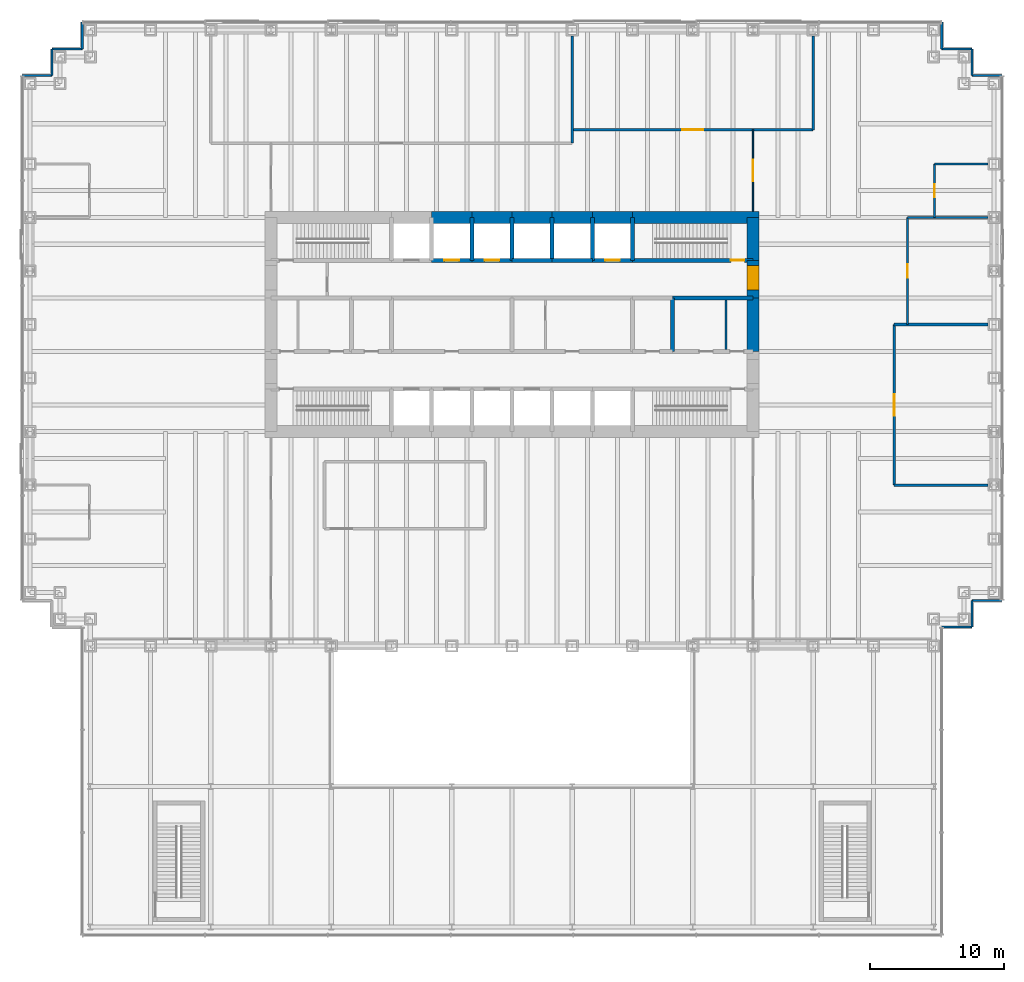
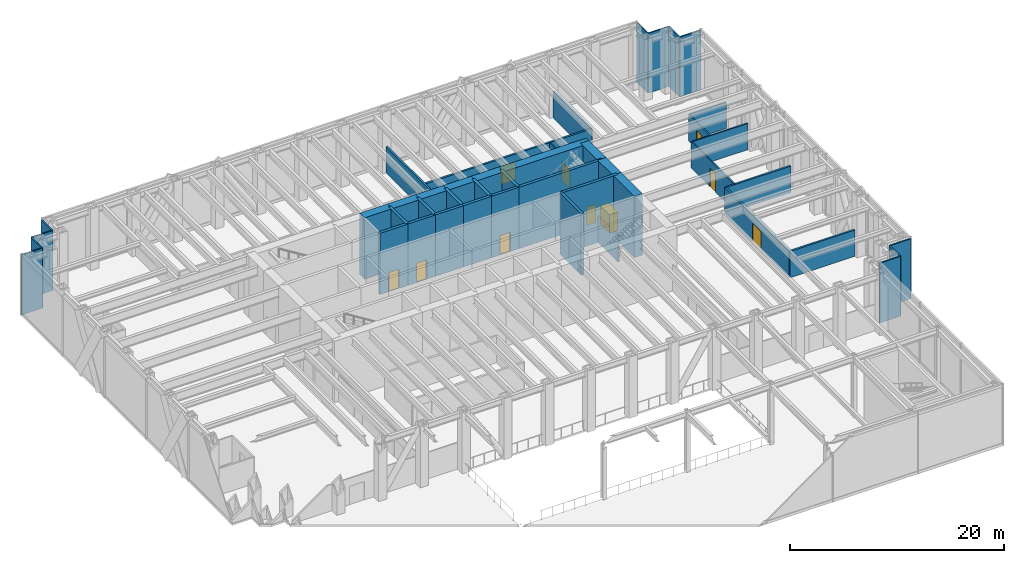
# One storey, part 15 of 17: 45 walls, 10 doors, 10 openings.
"""IFC4 building model written with IfcOpenShell, lengths in metres."""

from ifc_helpers import new_model, si_unit, direction, frame, frame_2d, origin, place, context, subcontext, project, spatial, rectangle, extrude, material, layer, layer_set, type_object, element, fill, save


model = new_model("IFC4")

# Units and contexts
model_context = context("Model", 3, precision=1e-05, world=origin(), true_north=direction((0.0, 1.0)))
body_context = subcontext(model_context, "Body", "Model", "MODEL_VIEW")
ifc_project = project(units=[si_unit("LENGTHUNIT", "METRE"), si_unit("AREAUNIT", "SQUARE_METRE"), si_unit("VOLUMEUNIT", "CUBIC_METRE"), si_unit("PLANEANGLEUNIT", "RADIAN"), si_unit("MASSUNIT", "GRAM", prefix="KILO")], contexts=[model_context])

# Site, building, storey
site_placement = place(None, origin())
site = spatial("IfcSite", under=ifc_project, at=site_placement, CompositionType="ELEMENT")
building_placement = place(site_placement, origin())
building = spatial("IfcBuilding", under=site, at=building_placement, Name="Rheinbord Bourse Tower", CompositionType="ELEMENT")
storey_placement = place(building_placement, frame((0.0, 0.0, 6.0)))
storey = spatial("IfcBuildingStorey", under=building, at=storey_placement, Name="L01", CompositionType="ELEMENT", Elevation=6.0)

# Walls
ifc_material_1 = material(Name="Acoustic gypsum board partition", Category="gypsum board")
ifc_layer_1 = layer(ifc_material_1, 0.199951171875)
ifc_layer_set_1 = layer_set([ifc_layer_1], Name="ACOUSTIC PARTITION 200")
wall_type_1 = type_object("IfcWallType", Name="ACOUSTIC PARTITION 200", PredefinedType="PARTITIONING", material=ifc_layer_set_1)
for number, where, z_axis, x_axis, name in (
    (1, (64.550048828125, 12.0, 0.0), (0.0, 0.0, 1.0), (1.0, 0.0, 0.0), "Partition L01-04"),
    (2, (64.550048828125, 24.0, 0.0), (0.0, 0.0, 1.0), (1.0, 0.0, 0.0), "Partition L01-06"),
):
    element("IfcWall", number, at=place(storey_placement, frame(where, z_axis=z_axis, x_axis=x_axis)), inside=storey, type_object=wall_type_1, Name=name, PredefinedType="PARTITIONING", context=body_context, shape_type="SweptSolid", body=[
        extrude(rectangle(XDim=7.0, YDim=0.199951171875, at=frame_2d((3.5, 0.0))), origin(), (0.0, 0.0, 1.0), 3.0),
    ])

# Wall, opening, door
wall_1_placement = place(storey_placement, frame((40.5, 38.550048828125, 0.0), z_axis=(0.0, 0.0, 1.0), x_axis=(1.0, 0.0, 0.0)))
wall_1 = element("IfcWall", 3, at=wall_1_placement, inside=storey, type_object=wall_type_1, Name="Partition L01-12", PredefinedType="PARTITIONING", context=body_context, shape_type="SweptSolid", body=[
    extrude(rectangle(XDim=18.0, YDim=0.199951171875, at=frame_2d((9.0, 0.0))), origin(), (0.0, 0.0, 1.0), 3.0),
])
opening_1_placement = place(wall_1_placement, frame((8.199951171875, 0.0, 0.0)))
opening_1 = element("IfcOpeningElement", 4, at=opening_1_placement, cuts=wall_1, Name="Opening 01D08", PredefinedType="OPENING", context=body_context, shape_type="SweptSolid", body=[
    extrude(rectangle(XDim=1.60009765625, YDim=2.10009765625, at=frame_2d((0.800048828125, 1.050048828125))), frame((0.0, 0.10986328125, 0.0), z_axis=(0.0, -1.0, 0.0), x_axis=(1.0, 0.0, 0.0)), (0.0, 0.0, 1.0), 0.219970703125),
])
ifc_material_2 = material(Name="Timber door", Category="wood")
door_type_1 = type_object("IfcDoorType", Name="DOUBLE ROOM DOOR 1600", OperationType="DOUBLE_DOOR_DOUBLE_SWING", PredefinedType="DOOR", material=ifc_material_2)
door_1_placement = place(opening_1_placement, origin())
door_1 = element("IfcDoor", 5, at=door_1_placement, inside=storey, type_object=door_type_1, Name="Conference room door L01", OperationType="SINGLE_SWING_LEFT", OverallHeight=2.10009765625, OverallWidth=1.60009765625, PredefinedType="DOOR", context=body_context, shape_type="SweptSolid", body=[
    extrude(rectangle(XDim=1.60009765625, YDim=2.10009765625, at=frame_2d((0.800048828125, 1.050048828125))), frame((0.0, 0.02490234375, 0.0), z_axis=(0.0, -1.0, 0.0), x_axis=(1.0, 0.0, 0.0)), (0.0, 0.0, 1.0), 0.050048828125),
])
fill(opening_1, door_1)

# Walls
wall_2_placement = place(storey_placement, frame((40.5, 37.550048828125, 0.0), z_axis=(0.0, 0.0, 1.0), x_axis=(0.0, 1.0, 0.0)))
element("IfcWall", 6, at=wall_2_placement, inside=storey, type_object=wall_type_1, Name="Partition L01-20", PredefinedType="PARTITIONING", context=body_context, shape_type="SweptSolid", body=[
    extrude(rectangle(XDim=8.0, YDim=0.199951171875, at=frame_2d((4.0, 0.0))), origin(), (0.0, 0.0, 1.0), 3.0),
])
wall_3_placement = place(storey_placement, frame((58.5, 38.550048828125, 0.0), z_axis=(0.0, 0.0, 1.0), x_axis=(0.0, 1.0, 0.0)))
element("IfcWall", 7, at=wall_3_placement, inside=storey, type_object=wall_type_1, Name="Partition L01-23", PredefinedType="PARTITIONING", context=body_context, shape_type="SweptSolid", body=[
    extrude(rectangle(XDim=7.0, YDim=0.199951171875, at=frame_2d((3.5, 0.0))), origin(), (0.0, 0.0, 1.0), 3.0),
])

# Wall, opening, door
wall_4_placement = place(storey_placement, frame((64.550048828125, 12.0, 0.0), z_axis=(0.0, 0.0, 1.0), x_axis=(0.0, 1.0, 0.0)))
wall_4 = element("IfcWall", 8, at=wall_4_placement, inside=storey, type_object=wall_type_1, Name="Partition L01-24", PredefinedType="PARTITIONING", context=body_context, shape_type="SweptSolid", body=[
    extrude(rectangle(XDim=12.0, YDim=0.199951171875, at=frame_2d((6.0, 0.0))), origin(), (0.0, 0.0, 1.0), 3.0),
])
opening_2_placement = place(wall_4_placement, frame((5.199951171875, 0.0, 0.0)))
opening_2 = element("IfcOpeningElement", 9, at=opening_2_placement, cuts=wall_4, Name="Opening 01D03", PredefinedType="OPENING", context=body_context, shape_type="SweptSolid", body=[
    extrude(rectangle(XDim=1.60009765625, YDim=2.10009765625, at=frame_2d((0.800048828125, 1.050048828125))), frame((0.0, 0.10986328125, 0.0), z_axis=(0.0, -1.0, 0.0), x_axis=(1.0, 0.0, 0.0)), (0.0, 0.0, 1.0), 0.219970703125),
])
door_2_placement = place(opening_2_placement, origin())
door_2 = element("IfcDoor", 10, at=door_2_placement, inside=storey, type_object=door_type_1, Name="Conference room door L01", OperationType="SINGLE_SWING_LEFT", OverallHeight=2.10009765625, OverallWidth=1.60009765625, PredefinedType="DOOR", context=body_context, shape_type="SweptSolid", body=[
    extrude(rectangle(XDim=1.60009765625, YDim=2.10009765625, at=frame_2d((0.800048828125, 1.050048828125))), frame((0.0, 0.02490234375, 0.0), z_axis=(0.0, -1.0, 0.0), x_axis=(1.0, 0.0, 0.0)), (0.0, 0.0, 1.0), 0.050048828125),
])
fill(opening_2, door_2)

ifc_material_3 = material(Name="Concrete C50/60", Category="concrete")
ifc_layer_2 = layer(ifc_material_3, 0.300048828125)
ifc_layer_set_2 = layer_set([ifc_layer_2], Name="CORE INNER WALL 300")
wall_type_2 = type_object("IfcWallType", Name="CORE INNER WALL 300", PredefinedType="SOLIDWALL", material=ifc_layer_set_2)
wall_5_placement = place(storey_placement, frame((30.0, 28.800048828125, 0.0), z_axis=(0.0, 0.0, 1.0), x_axis=(1.0, 0.0, 0.0)))
wall_5 = element("IfcWall", 11, at=wall_5_placement, inside=storey, type_object=wall_type_2, Name="Core wall B3 L01", PredefinedType="SOLIDWALL", context=body_context, shape_type="SweptSolid", body=[
    extrude(rectangle(XDim=3.0, YDim=0.300048828125, at=frame_2d((1.5, 0.0))), origin(), (0.0, 0.0, 1.0), 7.0),
])
opening_3_placement = place(wall_5_placement, frame((0.949951171875, 0.0, 0.0)))
opening_3 = element("IfcOpeningElement", 12, at=opening_3_placement, cuts=wall_5, Name="Opening PA4", PredefinedType="OPENING", context=body_context, shape_type="SweptSolid", body=[
    extrude(rectangle(XDim=1.10009765625, YDim=2.199951171875, at=frame_2d((0.550048828125, 1.10009765625))), frame((0.0, 0.159912109375, 0.0), z_axis=(0.0, -1.0, 0.0), x_axis=(1.0, 0.0, 0.0)), (0.0, 0.0, 1.0), 0.320068359375),
])
ifc_material_4 = material(Name="Steel landing door", Category="steel")
door_type_2 = type_object("IfcDoorType", Name="LIFT LANDING DOOR 1100", OperationType="DOUBLE_DOOR_SLIDING", PredefinedType="USERDEFINED", material=ifc_material_4)
door_3_placement = place(opening_3_placement, origin())
door_3 = element("IfcDoor", 13, at=door_3_placement, inside=storey, type_object=door_type_2, Name="Lift landing door PA4 L01", ObjectType="LIFT LANDING DOOR", OperationType="DOUBLE_DOOR_SLIDING", OverallHeight=2.199951171875, OverallWidth=1.10009765625, PredefinedType="USERDEFINED", context=body_context, shape_type="SweptSolid", body=[
    extrude(rectangle(XDim=1.10009765625, YDim=2.199951171875, at=frame_2d((0.550048828125, 1.10009765625))), frame((0.0, 0.02490234375, 0.0), z_axis=(0.0, -1.0, 0.0), x_axis=(1.0, 0.0, 0.0)), (0.0, 0.0, 1.0), 0.050048828125),
])
fill(opening_3, door_3)

wall_6_placement = place(storey_placement, frame((33.0, 28.800048828125, 0.0), z_axis=(0.0, 0.0, 1.0), x_axis=(1.0, 0.0, 0.0)))
wall_6 = element("IfcWall", 14, at=wall_6_placement, inside=storey, type_object=wall_type_2, Name="Core wall B4 L01", PredefinedType="SOLIDWALL", context=body_context, shape_type="SweptSolid", body=[
    extrude(rectangle(XDim=3.0, YDim=0.300048828125, at=frame_2d((1.5, 0.0))), origin(), (0.0, 0.0, 1.0), 7.0),
])
opening_4_placement = place(wall_6_placement, frame((0.949951171875, 0.0, 0.0)))
opening_4 = element("IfcOpeningElement", 15, at=opening_4_placement, cuts=wall_6, Name="Opening PA5", PredefinedType="OPENING", context=body_context, shape_type="SweptSolid", body=[
    extrude(rectangle(XDim=1.10009765625, YDim=2.199951171875, at=frame_2d((0.550048828125, 1.10009765625))), frame((0.0, 0.159912109375, 0.0), z_axis=(0.0, -1.0, 0.0), x_axis=(1.0, 0.0, 0.0)), (0.0, 0.0, 1.0), 0.320068359375),
])
door_4_placement = place(opening_4_placement, origin())
door_4 = element("IfcDoor", 16, at=door_4_placement, inside=storey, type_object=door_type_2, Name="Lift landing door PA5 L01", ObjectType="LIFT LANDING DOOR", OperationType="DOUBLE_DOOR_SLIDING", OverallHeight=2.199951171875, OverallWidth=1.10009765625, PredefinedType="USERDEFINED", context=body_context, shape_type="SweptSolid", body=[
    extrude(rectangle(XDim=1.10009765625, YDim=2.199951171875, at=frame_2d((0.550048828125, 1.10009765625))), frame((0.0, 0.02490234375, 0.0), z_axis=(0.0, -1.0, 0.0), x_axis=(1.0, 0.0, 0.0)), (0.0, 0.0, 1.0), 0.050048828125),
])
fill(opening_4, door_4)

# Walls
for number, where, z_axis, x_axis, name in (
    (17, (36.0, 28.800048828125, 0.0), (0.0, 0.0, 1.0), (1.0, 0.0, 0.0), "Core wall B5 L01"),
    (18, (39.0, 28.800048828125, 0.0), (0.0, 0.0, 1.0), (1.0, 0.0, 0.0), "Core wall B6 L01"),
):
    element("IfcWall", number, at=place(storey_placement, frame(where, z_axis=z_axis, x_axis=x_axis)), inside=storey, type_object=wall_type_2, Name=name, PredefinedType="SOLIDWALL", context=body_context, shape_type="SweptSolid", body=[
        extrude(rectangle(XDim=3.0, YDim=0.300048828125, at=frame_2d((1.5, 0.0))), origin(), (0.0, 0.0, 1.0), 7.0),
    ])

# Wall, opening, door
wall_7_placement = place(storey_placement, frame((42.0, 28.800048828125, 0.0), z_axis=(0.0, 0.0, 1.0), x_axis=(1.0, 0.0, 0.0)))
wall_7 = element("IfcWall", 19, at=wall_7_placement, inside=storey, type_object=wall_type_2, Name="Core wall B7 L01", PredefinedType="SOLIDWALL", context=body_context, shape_type="SweptSolid", body=[
    extrude(rectangle(XDim=3.0, YDim=0.300048828125, at=frame_2d((1.5, 0.0))), origin(), (0.0, 0.0, 1.0), 7.0),
])
opening_5_placement = place(wall_7_placement, frame((0.949951171875, 0.0, 0.0)))
opening_5 = element("IfcOpeningElement", 20, at=opening_5_placement, cuts=wall_7, Name="Opening FL2", PredefinedType="OPENING", context=body_context, shape_type="SweptSolid", body=[
    extrude(rectangle(XDim=1.10009765625, YDim=2.199951171875, at=frame_2d((0.550048828125, 1.10009765625))), frame((0.0, 0.159912109375, 0.0), z_axis=(0.0, -1.0, 0.0), x_axis=(1.0, 0.0, 0.0)), (0.0, 0.0, 1.0), 0.320068359375),
])
door_5_placement = place(opening_5_placement, origin())
door_5 = element("IfcDoor", 21, at=door_5_placement, inside=storey, type_object=door_type_2, Name="Lift landing door FL2 L01", ObjectType="LIFT LANDING DOOR", OperationType="DOUBLE_DOOR_SLIDING", OverallHeight=2.199951171875, OverallWidth=1.10009765625, PredefinedType="USERDEFINED", context=body_context, shape_type="SweptSolid", body=[
    extrude(rectangle(XDim=1.10009765625, YDim=2.199951171875, at=frame_2d((0.550048828125, 1.10009765625))), frame((0.0, 0.02490234375, 0.0), z_axis=(0.0, -1.0, 0.0), x_axis=(1.0, 0.0, 0.0)), (0.0, 0.0, 1.0), 0.050048828125),
])
fill(opening_5, door_5)

wall_8_placement = place(storey_placement, frame((45.0, 28.800048828125, 0.0), z_axis=(0.0, 0.0, 1.0), x_axis=(1.0, 0.0, 0.0)))
wall_8 = element("IfcWall", 22, at=wall_8_placement, inside=storey, type_object=wall_type_2, Name="Core wall B8 L01", PredefinedType="SOLIDWALL", context=body_context, shape_type="SweptSolid", body=[
    extrude(rectangle(XDim=9.0, YDim=0.300048828125, at=frame_2d((4.5, 0.0))), origin(), (0.0, 0.0, 1.0), 7.0),
])
opening_6_placement = place(wall_8_placement, frame((7.35009765625, 0.0, 0.0)))
opening_6 = element("IfcOpeningElement", 23, at=opening_6_placement, cuts=wall_8, Name="Opening 0140", PredefinedType="OPENING", context=body_context, shape_type="SweptSolid", body=[
    extrude(rectangle(XDim=1.0, YDim=2.10009765625, at=frame_2d((0.5, 1.050048828125))), frame((0.0, 0.159912109375, 0.0), z_axis=(0.0, -1.0, 0.0), x_axis=(1.0, 0.0, 0.0)), (0.0, 0.0, 1.0), 0.320068359375),
])
ifc_material_5 = material(Name="Steel door", Category="steel")
door_type_3 = type_object("IfcDoorType", Name="DOOR 1000 EI30", OperationType="SINGLE_SWING_LEFT", PredefinedType="DOOR", material=ifc_material_5)
door_6_placement = place(opening_6_placement, origin())
door_6 = element("IfcDoor", 24, at=door_6_placement, inside=storey, type_object=door_type_3, Name="Stair door ST4 L01", OperationType="SINGLE_SWING_RIGHT", OverallHeight=2.10009765625, OverallWidth=1.0, PredefinedType="DOOR", context=body_context, shape_type="SweptSolid", body=[
    extrude(rectangle(XDim=1.0, YDim=2.10009765625, at=frame_2d((0.5, 1.050048828125))), frame((0.0, 0.02490234375, 0.0), z_axis=(0.0, -1.0, 0.0), x_axis=(1.0, 0.0, 0.0)), (0.0, 0.0, 1.0), 0.050048828125),
])
fill(opening_6, door_6)

# Walls
wall_9_placement = place(storey_placement, frame((48.0, 26.0, 0.0), z_axis=(0.0, 0.0, 1.0), x_axis=(1.0, 0.0, 0.0)))
element("IfcWall", 25, at=wall_9_placement, inside=storey, type_object=wall_type_2, Name="Core wall D6 L01", PredefinedType="SOLIDWALL", context=body_context, shape_type="SweptSolid", body=[
    extrude(rectangle(XDim=6.0, YDim=0.300048828125, at=frame_2d((3.0, 0.0))), origin(), (0.0, 0.0, 1.0), 7.0),
])
for number, where, z_axis, x_axis, name in (
    (26, (33.0, 28.800048828125, 0.0), (0.0, 0.0, 1.0), (0.0, 1.0, 0.0), "Core wall NX33 L01"),
    (27, (36.0, 28.800048828125, 0.0), (0.0, 0.0, 1.0), (0.0, 1.0, 0.0), "Core wall NX36 L01"),
    (28, (39.0, 28.800048828125, 0.0), (0.0, 0.0, 1.0), (0.0, 1.0, 0.0), "Core wall NX39 L01"),
    (29, (42.0, 28.800048828125, 0.0), (0.0, 0.0, 1.0), (0.0, 1.0, 0.0), "Core wall NX42 L01"),
    (30, (45.0, 28.800048828125, 0.0), (0.0, 0.0, 1.0), (0.0, 1.0, 0.0), "Core wall NX45 L01"),
):
    element("IfcWall", number, at=place(storey_placement, frame(where, z_axis=z_axis, x_axis=x_axis)), inside=storey, type_object=wall_type_2, Name=name, PredefinedType="SOLIDWALL", context=body_context, shape_type="SweptSolid", body=[
        extrude(rectangle(XDim=3.199951171875, YDim=0.300048828125, at=frame_2d((1.60009765625, 0.0))), origin(), (0.0, 0.0, 1.0), 7.0),
    ])
wall_10_placement = place(storey_placement, frame((48.0, 22.0, 0.0), z_axis=(0.0, 0.0, 1.0), x_axis=(0.0, 1.0, 0.0)))
element("IfcWall", 31, at=wall_10_placement, inside=storey, type_object=wall_type_2, Name="Core wall MX48 L01", PredefinedType="SOLIDWALL", context=body_context, shape_type="SweptSolid", body=[
    extrude(rectangle(XDim=4.0, YDim=0.300048828125, at=frame_2d((2.0, 0.0))), origin(), (0.0, 0.0, 1.0), 7.0),
])
ifc_material_6 = material(Name="Gypsum board fire partition", Category="gypsum board")
ifc_layer_3 = layer(ifc_material_6, 0.14990234375)
ifc_layer_set_3 = layer_set([ifc_layer_3], Name="CORE PARTITION 150 EI30")
wall_type_3 = type_object("IfcWallType", Name="CORE PARTITION 150 EI30", PredefinedType="PARTITIONING", material=ifc_layer_set_3)
wall_11_placement = place(storey_placement, frame((51.97509765625, 22.14990234375, 0.0), z_axis=(0.0, 0.0, 1.0), x_axis=(0.0, 1.0, 0.0)))
element("IfcWall", 32, at=wall_11_placement, inside=storey, type_object=wall_type_3, Name="Core partition L01-3", PredefinedType="PARTITIONING", context=body_context, shape_type="SweptSolid", body=[
    extrude(rectangle(XDim=3.7001953125, YDim=0.14990234375, at=frame_2d((1.85009765625, 0.0))), origin(), (0.0, 0.0, 1.0), 3.0),
])
ifc_material_7 = material(Name="Concrete C50/60", Category="concrete")
ifc_layer_4 = layer(ifc_material_7, 0.89990234375)
ifc_layer_set_4 = layer_set([ifc_layer_4], Name="CORE WALL 900")
wall_type_4 = type_object("IfcWallType", Name="CORE WALL 900", PredefinedType="SHEAR", material=ifc_layer_set_4)
wall_12_placement = place(storey_placement, frame((54.449951171875, 32.0, 0.0), z_axis=(0.0, 0.0, 1.0), x_axis=(-1.0, 0.0, 0.0)))
element("IfcWall", 33, at=wall_12_placement, inside=storey, type_object=wall_type_4, Name="Core wall N1 L01", PredefinedType="SHEAR", context=body_context, shape_type="SweptSolid", body=[
    extrude(rectangle(XDim=9.449951171875, YDim=0.89990234375, at=frame_2d((4.72509765625, 0.0))), origin(), (0.0, 0.0, 1.0), 7.0),
])
for number, where, z_axis, x_axis, name in (
    (34, (45.0, 32.0, 0.0), (0.0, 0.0, 1.0), (-1.0, 0.0, 0.0), "Core wall N2 L01"),
    (35, (42.0, 32.0, 0.0), (0.0, 0.0, 1.0), (-1.0, 0.0, 0.0), "Core wall N3 L01"),
    (36, (39.0, 32.0, 0.0), (0.0, 0.0, 1.0), (-1.0, 0.0, 0.0), "Core wall N4 L01"),
    (37, (36.0, 32.0, 0.0), (0.0, 0.0, 1.0), (-1.0, 0.0, 0.0), "Core wall N5 L01"),
    (38, (33.0, 32.0, 0.0), (0.0, 0.0, 1.0), (-1.0, 0.0, 0.0), "Core wall N6 L01"),
):
    element("IfcWall", number, at=place(storey_placement, frame(where, z_axis=z_axis, x_axis=x_axis)), inside=storey, type_object=wall_type_4, Name=name, PredefinedType="SHEAR", context=body_context, shape_type="SweptSolid", body=[
        extrude(rectangle(XDim=3.0, YDim=0.89990234375, at=frame_2d((1.5, 0.0))), origin(), (0.0, 0.0, 1.0), 7.0),
    ])
wall_13_placement = place(storey_placement, frame((54.0, 22.0, 0.0), z_axis=(0.0, 0.0, 1.0), x_axis=(0.0, 1.0, 0.0)))
element("IfcWall", 39, at=wall_13_placement, inside=storey, type_object=wall_type_4, Name="Core wall E3 L01", PredefinedType="SHEAR", context=body_context, shape_type="SweptSolid", body=[
    extrude(rectangle(XDim=4.0, YDim=0.89990234375, at=frame_2d((2.0, 0.0))), origin(), (0.0, 0.0, 1.0), 7.0),
])

# Wall, opening, door
wall_14_placement = place(storey_placement, frame((54.0, 26.0, 0.0), z_axis=(0.0, 0.0, 1.0), x_axis=(0.0, 1.0, 0.0)))
wall_14 = element("IfcWall", 40, at=wall_14_placement, inside=storey, type_object=wall_type_4, Name="Core wall E4 L01", PredefinedType="SHEAR", context=body_context, shape_type="SweptSolid", body=[
    extrude(rectangle(XDim=2.800048828125, YDim=0.89990234375, at=frame_2d((1.39990234375, 0.0))), origin(), (0.0, 0.0, 1.0), 7.0),
])
opening_7_placement = place(wall_14_placement, frame((0.60009765625, 0.0, 0.0)))
opening_7 = element("IfcOpeningElement", 41, at=opening_7_placement, cuts=wall_14, Name="Opening 01L4", PredefinedType="OPENING", context=body_context, shape_type="SweptSolid", body=[
    extrude(rectangle(XDim=1.800048828125, YDim=2.10009765625, at=frame_2d((0.89990234375, 1.050048828125))), frame((0.0, 0.4599609375, 0.0), z_axis=(0.0, -1.0, 0.0), x_axis=(1.0, 0.0, 0.0)), (0.0, 0.0, 1.0), 0.919921875),
])
ifc_material_8 = material(Name="Steel door", Category="steel")
door_type_4 = type_object("IfcDoorType", Name="DOOR 1800 EI30 DOUBLE", OperationType="DOUBLE_DOOR_DOUBLE_SWING", PredefinedType="DOOR", material=ifc_material_8)
door_7_placement = place(opening_7_placement, origin())
door_7 = element("IfcDoor", 42, at=door_7_placement, inside=storey, type_object=door_type_4, Name="Lobby door 4 L01", OperationType="SINGLE_SWING_LEFT", OverallHeight=2.10009765625, OverallWidth=1.800048828125, PredefinedType="DOOR", context=body_context, shape_type="SweptSolid", body=[
    extrude(rectangle(XDim=1.800048828125, YDim=2.10009765625, at=frame_2d((0.89990234375, 1.050048828125))), frame((0.0, 0.44970703125, 0.0), z_axis=(0.0, -1.0, 0.0), x_axis=(1.0, 0.0, 0.0)), (0.0, 0.0, 1.0), 0.8994140625),
])
fill(opening_7, door_7)

# Walls
wall_15_placement = place(storey_placement, frame((54.0, 28.800048828125, 0.0), z_axis=(0.0, 0.0, 1.0), x_axis=(0.0, 1.0, 0.0)))
element("IfcWall", 43, at=wall_15_placement, inside=storey, type_object=wall_type_4, Name="Core wall E5 L01", PredefinedType="SHEAR", context=body_context, shape_type="SweptSolid", body=[
    extrude(rectangle(XDim=3.199951171875, YDim=0.89990234375, at=frame_2d((1.60009765625, 0.0))), origin(), (0.0, 0.0, 1.0), 7.0),
])
ifc_material_9 = material(Name="Black metal rainscreen panel", Category="aluminium")
ifc_layer_5 = layer(ifc_material_9, 0.14990234375)
ifc_layer_set_5 = layer_set([ifc_layer_5], Name="CORNER PIER CLADDING 150")
wall_type_5 = type_object("IfcWallType", Name="CORNER PIER CLADDING 150", PredefinedType="ELEMENTEDWALL", material=ifc_layer_set_5)
wall_16_placement = place(storey_placement, frame((68.10009765625, 1.39990234375, 0.0), z_axis=(0.0, 0.0, 1.0), x_axis=(1.0, 0.0, 0.0)))
element("IfcWall", 44, at=wall_16_placement, inside=storey, type_object=wall_type_5, Name="Corner pier cladding L01 3", PredefinedType="ELEMENTEDWALL", context=body_context, shape_type="SweptSolid", body=[
    extrude(rectangle(XDim=2.25, YDim=0.14990234375, at=frame_2d((1.125, 0.0))), origin(), (0.0, 0.0, 1.0), 6.820068359375),
])
wall_17_placement = place(storey_placement, frame((70.35009765625, 1.39990234375, 0.0), z_axis=(0.0, 0.0, 1.0), x_axis=(0.0, 1.0, 0.0)))
element("IfcWall", 45, at=wall_17_placement, inside=storey, type_object=wall_type_5, Name="Corner pier cladding L01 4", PredefinedType="ELEMENTEDWALL", context=body_context, shape_type="SweptSolid", body=[
    extrude(rectangle(XDim=2.0, YDim=0.14990234375, at=frame_2d((1.0, 0.0))), origin(), (0.0, 0.0, 1.0), 6.820068359375),
])
for number, where, z_axis, x_axis, name in (
    (46, (70.35009765625, 3.39990234375, 0.0), (0.0, 0.0, 1.0), (1.0, 0.0, 0.0), "Corner pier cladding L01 5"),
    (47, (72.60009765625, 42.60009765625, 0.0), (0.0, 0.0, 1.0), (-1.0, 0.0, 0.0), "Corner pier cladding L01 7"),
):
    element("IfcWall", number, at=place(storey_placement, frame(where, z_axis=z_axis, x_axis=x_axis)), inside=storey, type_object=wall_type_5, Name=name, PredefinedType="ELEMENTEDWALL", context=body_context, shape_type="SweptSolid", body=[
        extrude(rectangle(XDim=2.25, YDim=0.14990234375, at=frame_2d((1.125, 0.0))), origin(), (0.0, 0.0, 1.0), 6.820068359375),
    ])
wall_18_placement = place(storey_placement, frame((70.35009765625, 42.60009765625, 0.0), z_axis=(0.0, 0.0, 1.0), x_axis=(0.0, 1.0, 0.0)))
element("IfcWall", 48, at=wall_18_placement, inside=storey, type_object=wall_type_5, Name="Corner pier cladding L01 8", PredefinedType="ELEMENTEDWALL", context=body_context, shape_type="SweptSolid", body=[
    extrude(rectangle(XDim=2.0, YDim=0.14990234375, at=frame_2d((1.0, 0.0))), origin(), (0.0, 0.0, 1.0), 6.820068359375),
])
wall_19_placement = place(storey_placement, frame((70.35009765625, 44.60009765625, 0.0), z_axis=(0.0, 0.0, 1.0), x_axis=(-1.0, 0.0, 0.0)))
element("IfcWall", 49, at=wall_19_placement, inside=storey, type_object=wall_type_5, Name="Corner pier cladding L01 9", PredefinedType="ELEMENTEDWALL", context=body_context, shape_type="SweptSolid", body=[
    extrude(rectangle(XDim=2.25, YDim=0.14990234375, at=frame_2d((1.125, 0.0))), origin(), (0.0, 0.0, 1.0), 6.820068359375),
])
for number, where, z_axis, x_axis, name in (
    (50, (68.10009765625, 44.60009765625, 0.0), (0.0, 0.0, 1.0), (0.0, 1.0, 0.0), "Corner pier cladding L01 10"),
    (51, (3.89990234375, 46.60009765625, 0.0), (0.0, 0.0, 1.0), (0.0, -1.0, 0.0), "Corner pier cladding L01 12"),
):
    element("IfcWall", number, at=place(storey_placement, frame(where, z_axis=z_axis, x_axis=x_axis)), inside=storey, type_object=wall_type_5, Name=name, PredefinedType="ELEMENTEDWALL", context=body_context, shape_type="SweptSolid", body=[
        extrude(rectangle(XDim=2.0, YDim=0.14990234375, at=frame_2d((1.0, 0.0))), origin(), (0.0, 0.0, 1.0), 6.820068359375),
    ])
wall_20_placement = place(storey_placement, frame((3.89990234375, 44.60009765625, 0.0), z_axis=(0.0, 0.0, 1.0), x_axis=(-1.0, 0.0, 0.0)))
element("IfcWall", 52, at=wall_20_placement, inside=storey, type_object=wall_type_5, Name="Corner pier cladding L01 13", PredefinedType="ELEMENTEDWALL", context=body_context, shape_type="SweptSolid", body=[
    extrude(rectangle(XDim=2.25, YDim=0.14990234375, at=frame_2d((1.125, 0.0))), origin(), (0.0, 0.0, 1.0), 6.820068359375),
])
wall_21_placement = place(storey_placement, frame((1.64990234375, 44.60009765625, 0.0), z_axis=(0.0, 0.0, 1.0), x_axis=(0.0, -1.0, 0.0)))
element("IfcWall", 53, at=wall_21_placement, inside=storey, type_object=wall_type_5, Name="Corner pier cladding L01 14", PredefinedType="ELEMENTEDWALL", context=body_context, shape_type="SweptSolid", body=[
    extrude(rectangle(XDim=2.0, YDim=0.14990234375, at=frame_2d((1.0, 0.0))), origin(), (0.0, 0.0, 1.0), 6.820068359375),
])
wall_22_placement = place(storey_placement, frame((1.64990234375, 42.60009765625, 0.0), z_axis=(0.0, 0.0, 1.0), x_axis=(-1.0, 0.0, 0.0)))
element("IfcWall", 54, at=wall_22_placement, inside=storey, type_object=wall_type_5, Name="Corner pier cladding L01 15", PredefinedType="ELEMENTEDWALL", context=body_context, shape_type="SweptSolid", body=[
    extrude(rectangle(XDim=2.25, YDim=0.14990234375, at=frame_2d((1.125, 0.0))), origin(), (0.0, 0.0, 1.0), 6.820068359375),
])

# Wall, opening, door
ifc_material_10 = material(Name="Toughened laminated glass partition", Category="glass")
ifc_layer_6 = layer(ifc_material_10, 0.10009765625)
ifc_layer_set_6 = layer_set([ifc_layer_6], Name="GLAZED PARTITION 100")
wall_type_6 = type_object("IfcWallType", Name="GLAZED PARTITION 100", PredefinedType="PARTITIONING", material=ifc_layer_set_6)
wall_23_placement = place(storey_placement, frame((54.0, 32.449951171875, 0.0), z_axis=(0.0, 0.0, 1.0), x_axis=(0.0, 1.0, 0.0)))
wall_23 = element("IfcWall", 55, at=wall_23_placement, inside=storey, type_object=wall_type_6, Name="Partition L01-22", PredefinedType="PARTITIONING", context=body_context, shape_type="SweptSolid", body=[
    extrude(rectangle(XDim=6.10009765625, YDim=0.10009765625, at=frame_2d((3.050048828125, 0.0))), origin(), (0.0, 0.0, 1.0), 3.0),
])
opening_8_placement = place(wall_23_placement, frame((2.25, 0.0, 0.0)))
opening_8 = element("IfcOpeningElement", 56, at=opening_8_placement, cuts=wall_23, Name="Opening 01D14", PredefinedType="OPENING", context=body_context, shape_type="SweptSolid", body=[
    extrude(rectangle(XDim=1.60009765625, YDim=2.10009765625, at=frame_2d((0.800048828125, 1.050048828125))), frame((0.0, 0.06005859375, 0.0), z_axis=(0.0, -1.0, 0.0), x_axis=(1.0, 0.0, 0.0)), (0.0, 0.0, 1.0), 0.1201171875),
])
door_8_placement = place(opening_8_placement, origin())
door_8 = element("IfcDoor", 57, at=door_8_placement, inside=storey, type_object=door_type_1, Name="Open area door L01", OperationType="SINGLE_SWING_LEFT", OverallHeight=2.10009765625, OverallWidth=1.60009765625, PredefinedType="DOOR", context=body_context, shape_type="SweptSolid", body=[
    extrude(rectangle(XDim=1.60009765625, YDim=2.10009765625, at=frame_2d((0.800048828125, 1.050048828125))), frame((0.0, 0.02490234375, 0.0), z_axis=(0.0, -1.0, 0.0), x_axis=(1.0, 0.0, 0.0)), (0.0, 0.0, 1.0), 0.050048828125),
])
fill(opening_8, door_8)

# Walls
ifc_material_11 = material(Name="Gypsum board partition", Category="gypsum board")
ifc_layer_7 = layer(ifc_material_11, 0.14990234375)
ifc_layer_set_7 = layer_set([ifc_layer_7], Name="PARTITION 150")
wall_type_7 = type_object("IfcWallType", Name="PARTITION 150", PredefinedType="PARTITIONING", material=ifc_layer_set_7)
wall_24_placement = place(storey_placement, frame((65.550048828125, 32.0, 0.0), z_axis=(0.0, 0.0, 1.0), x_axis=(1.0, 0.0, 0.0)))
element("IfcWall", 58, at=wall_24_placement, inside=storey, type_object=wall_type_7, Name="Partition L01-08", PredefinedType="PARTITIONING", context=body_context, shape_type="SweptSolid", body=[
    extrude(rectangle(XDim=6.0, YDim=0.14990234375, at=frame_2d((3.0, 0.0))), origin(), (0.0, 0.0, 1.0), 3.0),
])
wall_25_placement = place(storey_placement, frame((67.550048828125, 36.0, 0.0), z_axis=(0.0, 0.0, 1.0), x_axis=(1.0, 0.0, 0.0)))
element("IfcWall", 59, at=wall_25_placement, inside=storey, type_object=wall_type_7, Name="Partition L01-10", PredefinedType="PARTITIONING", context=body_context, shape_type="SweptSolid", body=[
    extrude(rectangle(XDim=4.0, YDim=0.14990234375, at=frame_2d((2.0, 0.0))), origin(), (0.0, 0.0, 1.0), 3.0),
])

# Wall, opening, door
wall_26_placement = place(storey_placement, frame((65.550048828125, 24.0, 0.0), z_axis=(0.0, 0.0, 1.0), x_axis=(0.0, 1.0, 0.0)))
wall_26 = element("IfcWall", 60, at=wall_26_placement, inside=storey, type_object=wall_type_7, Name="Partition L01-25", PredefinedType="PARTITIONING", context=body_context, shape_type="SweptSolid", body=[
    extrude(rectangle(XDim=8.0, YDim=0.14990234375, at=frame_2d((4.0, 0.0))), origin(), (0.0, 0.0, 1.0), 3.0),
])
opening_9_placement = place(wall_26_placement, frame((3.5, 0.0, 0.0)))
opening_9 = element("IfcOpeningElement", 61, at=opening_9_placement, cuts=wall_26, Name="Opening 01D04", PredefinedType="OPENING", context=body_context, shape_type="SweptSolid", body=[
    extrude(rectangle(XDim=1.0, YDim=2.10009765625, at=frame_2d((0.5, 1.050048828125))), frame((0.0, 0.0849609375, 0.0), z_axis=(0.0, -1.0, 0.0), x_axis=(1.0, 0.0, 0.0)), (0.0, 0.0, 1.0), 0.169921875),
])
ifc_material_12 = material(Name="Timber door", Category="wood")
door_type_5 = type_object("IfcDoorType", Name="ROOM DOOR 1000", OperationType="SINGLE_SWING_LEFT", PredefinedType="DOOR", material=ifc_material_12)
door_9_placement = place(opening_9_placement, origin())
door_9 = element("IfcDoor", 62, at=door_9_placement, inside=storey, type_object=door_type_5, Name="Catering servery door L01", OperationType="SINGLE_SWING_LEFT", OverallHeight=2.10009765625, OverallWidth=1.0, PredefinedType="DOOR", context=body_context, shape_type="SweptSolid", body=[
    extrude(rectangle(XDim=1.0, YDim=2.10009765625, at=frame_2d((0.5, 1.050048828125))), frame((0.0, 0.02490234375, 0.0), z_axis=(0.0, -1.0, 0.0), x_axis=(1.0, 0.0, 0.0)), (0.0, 0.0, 1.0), 0.050048828125),
])
fill(opening_9, door_9)

wall_27_placement = place(storey_placement, frame((67.550048828125, 32.0, 0.0), z_axis=(0.0, 0.0, 1.0), x_axis=(0.0, 1.0, 0.0)))
wall_27 = element("IfcWall", 63, at=wall_27_placement, inside=storey, type_object=wall_type_7, Name="Partition L01-26", PredefinedType="PARTITIONING", context=body_context, shape_type="SweptSolid", body=[
    extrude(rectangle(XDim=4.0, YDim=0.14990234375, at=frame_2d((2.0, 0.0))), origin(), (0.0, 0.0, 1.0), 3.0),
])
opening_10_placement = place(wall_27_placement, frame((1.5, 0.0, 0.0)))
opening_10 = element("IfcOpeningElement", 64, at=opening_10_placement, cuts=wall_27, Name="Opening 01D06", PredefinedType="OPENING", context=body_context, shape_type="SweptSolid", body=[
    extrude(rectangle(XDim=1.0, YDim=2.10009765625, at=frame_2d((0.5, 1.050048828125))), frame((0.0, 0.0849609375, 0.0), z_axis=(0.0, -1.0, 0.0), x_axis=(1.0, 0.0, 0.0)), (0.0, 0.0, 1.0), 0.169921875),
])
door_10_placement = place(opening_10_placement, origin())
door_10 = element("IfcDoor", 65, at=door_10_placement, inside=storey, type_object=door_type_5, Name="AV control room door L01", OperationType="SINGLE_SWING_LEFT", OverallHeight=2.10009765625, OverallWidth=1.0, PredefinedType="DOOR", context=body_context, shape_type="SweptSolid", body=[
    extrude(rectangle(XDim=1.0, YDim=2.10009765625, at=frame_2d((0.5, 1.050048828125))), frame((0.0, 0.02490234375, 0.0), z_axis=(0.0, -1.0, 0.0), x_axis=(1.0, 0.0, 0.0)), (0.0, 0.0, 1.0), 0.050048828125),
])
fill(opening_10, door_10)

save(model, "model.ifc")
